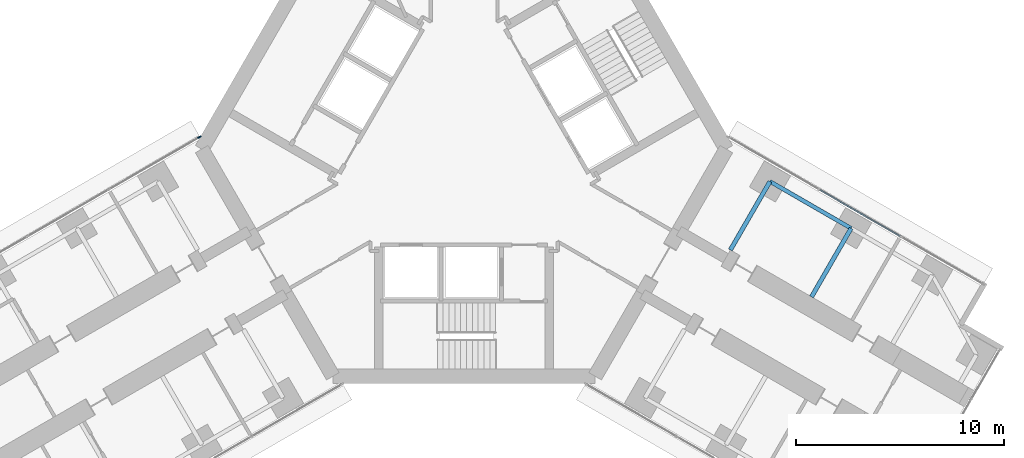
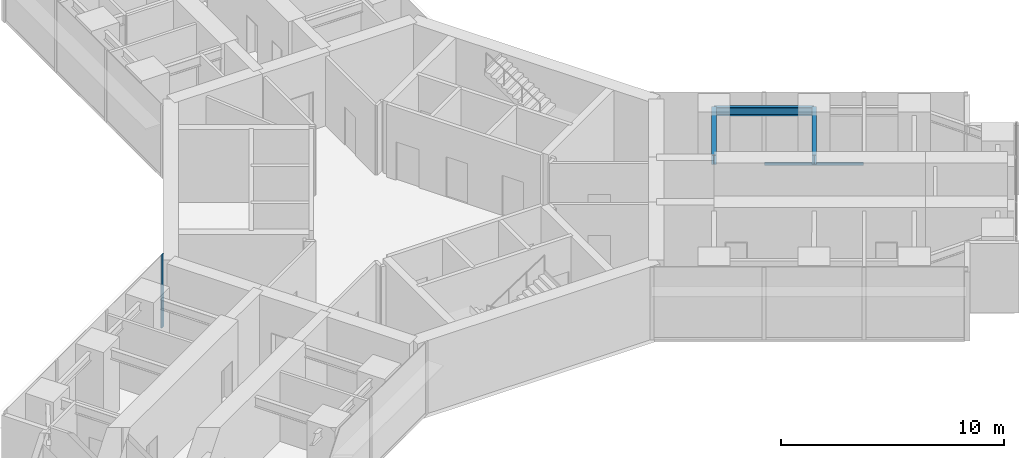
# One storey, part 10 of 24: 3 beams, 2 members, 2 elements without a shape of their own.
"""IFC4 building model written with IfcOpenShell, lengths in metres."""

import ifcopenshell
import ifcopenshell.guid

model = None  # the IFC model being written
_history = None  # IfcOwnerHistory: only IFC2X3 demands one
_inside = {}  # id of a spatial element -> (the spatial element, [elements in it])
_under = {}  # id of a project, library or spatial element -> (it, [spatial elements below it])
_declared = {}  # id of a project -> (the project, [libraries it declares])
_typed = {}  # id of a type object -> (the type object, [elements of that type])
_made_of = {}  # id of a material, layer set ... -> (it, [elements and type objects made of it])


def new_model(schema):
    """Start an empty IFC model of exactly this schema.

    Asked for "IFC4X3", IfcOpenShell would pick the latest addendum, in which some entities
    have other attributes; the version numbers below select the first issue.
    IFC2X3 requires an IfcOwnerHistory on every rooted entity: one is made here for all.
    """
    global model, _history
    if schema == "IFC4X3":
        model = ifcopenshell.file(schema_version=(4, 3, 0, 0))
    else:
        model = ifcopenshell.file(schema=schema)
    _inside.clear()
    _under.clear()
    _declared.clear()
    _typed.clear()
    _made_of.clear()
    _history = None
    if model.schema == "IFC2X3":
        org = make("IfcOrganization", Name="unknown")
        user = make(
            "IfcPersonAndOrganization",
            ThePerson=make("IfcPerson", FamilyName="unknown"),
            TheOrganization=org,
        )
        app = make(
            "IfcApplication",
            ApplicationDeveloper=org,
            Version="unknown",
            ApplicationFullName="unknown",
            ApplicationIdentifier="unknown",
        )
        _history = make(
            "IfcOwnerHistory",
            OwningUser=user,
            OwningApplication=app,
            ChangeAction="ADDED",
            CreationDate=0,
        )
    return model


def make(cls, **values):
    """One entity of the class cls with the attributes given. An attribute that is None is left unset."""
    return model.create_entity(
        cls, **{name: value for name, value in values.items() if value is not None}
    )


def rooted(cls, **values):
    """An entity with a GlobalId (a new one), such as an element, a storey or a relation."""
    return make(cls, GlobalId=ifcopenshell.guid.new(), OwnerHistory=_history, **values)


def si_unit(unit_type, name, prefix=None):
    """IfcSIUnit, for example si_unit("LENGTHUNIT", "METRE", prefix="MILLI")."""
    return make("IfcSIUnit", UnitType=unit_type, Prefix=prefix, Name=name)


def assignment(units):
    """IfcUnitAssignment: the units of a project."""
    return None if units is None else make("IfcUnitAssignment", Units=units)


def point(xyz):
    """IfcCartesianPoint."""
    return None if xyz is None else make("IfcCartesianPoint", Coordinates=xyz)


def direction(xyz):
    """IfcDirection."""
    return None if xyz is None else make("IfcDirection", DirectionRatios=xyz)


def frame(location, z_axis=None, x_axis=None):
    """IfcAxis2Placement3D, a coordinate frame: its origin and axes. An axis left out is left unset."""
    return make(
        "IfcAxis2Placement3D",
        Location=point(location),
        Axis=direction(z_axis),
        RefDirection=direction(x_axis),
    )


def frame_2d(location, x_axis=None):
    """IfcAxis2Placement2D, a coordinate frame in the plane: its origin and x axis."""
    return make(
        "IfcAxis2Placement2D", Location=point(location), RefDirection=direction(x_axis)
    )


def origin():
    """The frame at (0, 0, 0) with its axes left unset."""
    return frame((0.0, 0.0, 0.0))


def origin_2d():
    """The frame at (0, 0) in the plane with its x axis left unset."""
    return frame_2d((0.0, 0.0))


def place(relative_to, where):
    """IfcLocalPlacement: puts the frame where relative to a parent placement (None: the world)."""
    return make(
        "IfcLocalPlacement", PlacementRelTo=relative_to, RelativePlacement=where
    )


def context(
    kind, dimensions, precision=None, world=None, true_north=None, identifier=None
):
    """IfcGeometricRepresentationContext, for example the 3D "Model" context."""
    return make(
        "IfcGeometricRepresentationContext",
        ContextIdentifier=identifier,
        ContextType=kind,
        CoordinateSpaceDimension=dimensions,
        Precision=precision,
        WorldCoordinateSystem=world,
        TrueNorth=true_north,
    )


def subcontext(parent, identifier, kind, view, scale=None):
    """IfcGeometricRepresentationSubContext, for example "Body" below "Model"."""
    return make(
        "IfcGeometricRepresentationSubContext",
        ContextIdentifier=identifier,
        ContextType=kind,
        ParentContext=parent,
        TargetScale=scale,
        TargetView=view,
    )


def project(units=None, contexts=None):
    """IfcProject with its units and contexts."""
    return rooted(
        "IfcProject",
        Name="project",
        RepresentationContexts=contexts,
        UnitsInContext=assignment(units),
    )


def spatial(cls, under=None, at=None, **own):
    """A site, building, storey or space (cls), placed at a placement, below another one or the project."""
    s = rooted(cls, ObjectPlacement=at, **own)
    if under is not None:
        _under.setdefault(under.id(), (under, []))[1].append(s)
    return s


def profile(cls, at=None, kind="AREA", **sizes):
    """A parametric profile (cls). Its sizes go by their IFC names, for example OverallWidth=200.0."""
    return make(cls, ProfileType=kind, Position=at, **sizes)


def rectangle(**sizes):
    """IfcRectangleProfileDef."""
    return profile("IfcRectangleProfileDef", **sizes)


def i_section(**sizes):
    """IfcIShapeProfileDef."""
    return profile("IfcIShapeProfileDef", **sizes)


def extrude(swept, where, along, depth):
    """IfcExtrudedAreaSolid: the profile swept, set in the frame where, extruded along a direction by depth."""
    return make(
        "IfcExtrudedAreaSolid",
        SweptArea=swept,
        Position=where,
        ExtrudedDirection=direction(along),
        Depth=depth,
    )


def shape(context_of_items, identifier, shape_type, items):
    """IfcShapeRepresentation: the items that make up one representation, for example the "Body"."""
    return make(
        "IfcShapeRepresentation",
        ContextOfItems=context_of_items,
        RepresentationIdentifier=identifier,
        RepresentationType=shape_type,
        Items=items,
    )


def material(Name=None, Category=None):
    """IfcMaterial."""
    return make("IfcMaterial", Name=Name, Category=Category)


def material_profile(
    of_material, cross_section, Name=None, Category=None, Priority=None
):
    """IfcMaterialProfile: a cross section and its material."""
    return make(
        "IfcMaterialProfile",
        Name=Name,
        Material=of_material,
        Profile=cross_section,
        Priority=Priority,
        Category=Category,
    )


def profile_set(profiles, Name=None, composite=None):
    """IfcMaterialProfileSet."""
    return make(
        "IfcMaterialProfileSet",
        Name=Name,
        MaterialProfiles=profiles,
        CompositeProfile=composite,
    )


def made_of(thing, what):
    """Note that an element or type object is made of a material, layer set ...; save() writes the relation."""
    if what is not None:
        _made_of.setdefault(what.id(), (what, []))[1].append(thing)
    return thing


def type_object(cls, material=None, **own):
    """A type object (cls), such as IfcWallType, which elements share."""
    return made_of(rooted(cls, **own), material)


def element(
    cls,
    number,
    at=None,
    inside=None,
    cuts=None,
    type_object=None,
    material=None,
    context=None,
    identifier="Body",
    shape_type=None,
    held_by="IfcProductDefinitionShape",
    body=None,
    shapes=None,
    **own,
):
    """One element of the class cls, such as IfcWall. Its Tag is "e" and its number.

    at: its placement. inside: the storey or other place that contains it. cuts: it is an
    opening in that element (IfcRelVoidsElement). A single representation is given by context,
    identifier, shape_type and body (its items); several are given by shapes. held_by: the class
    of the entity that holds the representations. save() writes the other relations.
    """
    e = rooted(cls, Tag="e%d" % number, ObjectPlacement=at, **own)
    if body is not None:
        shapes = [shape(context, identifier, shape_type, body)]
    if shapes is not None:
        e.Representation = make(held_by, Representations=shapes)
    if inside is not None:
        _inside.setdefault(inside.id(), (inside, []))[1].append(e)
    if cuts is not None:
        rooted(
            "IfcRelVoidsElement", RelatingBuildingElement=cuts, RelatedOpeningElement=e
        )
    if type_object is not None:
        _typed.setdefault(type_object.id(), (type_object, []))[1].append(e)
    return made_of(e, material)


def aggregate(whole, parts):
    """IfcRelAggregates: a whole, such as a stair, and the parts it consists of."""
    return rooted("IfcRelAggregates", RelatingObject=whole, RelatedObjects=parts)


def save(model, path):
    """Write the relations noted so far, then the file.

    IfcRelAggregates (storeys below a building ...), IfcRelContainedInSpatialStructure (elements
    in a storey), IfcRelDefinesByType, IfcRelAssociatesMaterial and IfcRelDeclares: one each for
    every whole, place, type object, material and project.
    """
    for whole, parts in _under.values():
        aggregate(whole, parts)
    for where, things in _inside.values():
        rooted(
            "IfcRelContainedInSpatialStructure",
            RelatedElements=things,
            RelatingStructure=where,
        )
    for kind, things in _typed.values():
        rooted("IfcRelDefinesByType", RelatedObjects=things, RelatingType=kind)
    for what, things in _made_of.values():
        rooted("IfcRelAssociatesMaterial", RelatedObjects=things, RelatingMaterial=what)
    for by, libraries in _declared.values():
        rooted("IfcRelDeclares", RelatingContext=by, RelatedDefinitions=libraries)
    model.write(path)


model = new_model("IFC4")

# Units and contexts
model_context = context("Model", 3, precision=1e-05, world=origin(), true_north=direction((0.0, 1.0)))
body_context = subcontext(model_context, "Body", "Model", "MODEL_VIEW")
ifc_project = project(units=[si_unit("LENGTHUNIT", "METRE"), si_unit("AREAUNIT", "SQUARE_METRE"), si_unit("VOLUMEUNIT", "CUBIC_METRE"), si_unit("PLANEANGLEUNIT", "RADIAN"), si_unit("MASSUNIT", "GRAM", prefix="KILO")], contexts=[model_context])

# Site, building, storey
site_placement = place(None, origin())
site = spatial("IfcSite", under=ifc_project, at=site_placement, CompositionType="ELEMENT")
building_placement = place(site_placement, origin())
building = spatial("IfcBuilding", under=site, at=building_placement, Name="Upepo Twin Towers", CompositionType="ELEMENT")
storey_placement = place(building_placement, frame((0.0, 0.0, 56.5)))
storey = spatial("IfcBuildingStorey", under=building, at=storey_placement, Name="L13", CompositionType="ELEMENT", Elevation=56.5)

# Beams
ifc_material_1 = material(Name="Steel S355", Category="steel")
ifc_material_profile_1 = material_profile(ifc_material_1, i_section(OverallWidth=0.1904296875, OverallDepth=0.45703125, WebThickness=0.009033203125, FlangeThickness=0.014404296875, FilletRadius=0.01025390625, at=origin_2d()), Name="UB 457x191x74")
ifc_profile_set_1 = profile_set([ifc_material_profile_1], Name="Steel S355")
beam_type_1 = type_object("IfcBeamType", Name="Beam UB 457x191x74", PredefinedType="BEAM", material=ifc_profile_set_1)
beam_1_placement = place(storey_placement, frame((73.19140625, -19.553955078125, 3.571533203125), z_axis=(0.866017533419, -0.500013631625, 0.0), x_axis=(0.500013631625, 0.866017533419, 0.0)))
element("IfcBeam", 1, at=beam_1_placement, inside=storey, type_object=beam_type_1, Name="T2 edge beam CL 13.5-18.0", PredefinedType="BEAM", context=body_context, shape_type="SweptSolid", body=[
    extrude(i_section(OverallWidth=0.1904296875, OverallDepth=0.45703125, WebThickness=0.009033203125, FlangeThickness=0.014404296875, FilletRadius=0.01025390625, at=origin_2d()), origin(), (0.0, 0.0, 1.0), 4.499755859375),
])
ifc_material_2 = material(Name="Steel S355", Category="steel")
ifc_material_profile_2 = material_profile(ifc_material_2, i_section(OverallWidth=0.209228515625, OverallDepth=0.533203125, WebThickness=0.010009765625, FlangeThickness=0.015625, FilletRadius=0.0126953125, at=origin_2d()), Name="UB 533x210x92")
ifc_profile_set_2 = profile_set([ifc_material_profile_2], Name="Steel S355")
beam_type_2 = type_object("IfcBeamType", Name="Beam UB 533x210x92", PredefinedType="BEAM", material=ifc_profile_set_2)
beam_2_placement = place(storey_placement, frame((73.19140625, -19.553955078125, 3.533447265625), z_axis=(-0.500043160704, -0.866000483506, 0.0), x_axis=(0.866000483506, -0.500043160704, 0.0)))
element("IfcBeam", 2, at=beam_2_placement, inside=storey, type_object=beam_type_2, Name="T2 girder CL at 13.5", PredefinedType="BEAM", context=body_context, shape_type="SweptSolid", body=[
    extrude(i_section(OverallWidth=0.209228515625, OverallDepth=0.533203125, WebThickness=0.010009765625, FlangeThickness=0.015625, FilletRadius=0.0126953125, at=origin_2d()), origin(), (0.0, 0.0, 1.0), 3.800048828125),
])
beam_3_placement = place(storey_placement, frame((77.08837890625, -21.803955078125, 3.533447265625), z_axis=(-0.499994975061, -0.866028304915, 0.0), x_axis=(0.866028304915, -0.499994975061, 0.0)))
element("IfcBeam", 3, at=beam_3_placement, inside=storey, type_object=beam_type_2, Name="T2 girder CL at 18.0", PredefinedType="BEAM", context=body_context, shape_type="SweptSolid", body=[
    extrude(i_section(OverallWidth=0.209228515625, OverallDepth=0.533203125, WebThickness=0.010009765625, FlangeThickness=0.015625, FilletRadius=0.0126953125, at=origin_2d()), origin(), (0.0, 0.0, 1.0), 3.7998046875),
])

# Curtain wall, member
ifc_material_3 = material(Name="Aluminium and fritted glass", Category="aluminium")
curtain_wall_type = type_object("IfcCurtainWallType", Name="Tower curtain wall TW1, fritted glass", PredefinedType="NOTDEFINED", material=ifc_material_3)
curtain_wall_1_placement = place(storey_placement, origin())
curtain_wall_1 = element("IfcCurtainWall", 4, at=curtain_wall_1_placement, inside=storey, type_object=curtain_wall_type, Name="T2 L13 wing B flank R curtain wall", PredefinedType="NOTDEFINED")
ifc_material_4 = material(Name="Aluminium mullion", Category="aluminium")
ifc_material_profile_3 = material_profile(ifc_material_4, rectangle(XDim=0.06494140625, YDim=0.179931640625, at=origin_2d()), Name="MULLION 65x180")
ifc_profile_set_3 = profile_set([ifc_material_profile_3], Name="Aluminium mullion")
member_type_1 = type_object("IfcMemberType", Name="Mullion 65x180 TW1", PredefinedType="MULLION", material=ifc_profile_set_3)
member_1_placement = place(storey_placement, frame((45.79150390625, -17.427490234375, 0.0), z_axis=(0.0, 0.0, 1.0), x_axis=(-0.500000024426, 0.866025389682, 0.0)))
member_1 = element("IfcMember", 5, at=member_1_placement, type_object=member_type_1, Name="T2 L13 wing B flank R curtain wall mullion 4", PredefinedType="MULLION", context=body_context, shape_type="SweptSolid", body=[
    extrude(rectangle(XDim=0.06494140625, YDim=0.179931640625, at=origin_2d()), origin(), (0.0, 0.0, 1.0), 4.0),
])
aggregate(curtain_wall_1, [member_1])

curtain_wall_2_placement = place(storey_placement, origin())
curtain_wall_2 = element("IfcCurtainWall", 6, at=curtain_wall_2_placement, inside=storey, type_object=curtain_wall_type, Name="T2 L13 wing C flank L curtain wall", PredefinedType="NOTDEFINED")
ifc_material_5 = material(Name="Aluminium transom", Category="aluminium")
ifc_material_profile_4 = material_profile(ifc_material_5, rectangle(XDim=0.06494140625, YDim=0.14990234375, at=origin_2d()), Name="TRANSOM 65x150")
ifc_profile_set_4 = profile_set([ifc_material_profile_4], Name="Aluminium transom")
member_type_2 = type_object("IfcMemberType", Name="Transom 65x150 TW1", PredefinedType="USERDEFINED", material=ifc_profile_set_4)
member_2_placement = place(storey_placement, frame((75.593017578125, -19.958984375, 0.074951171875), z_axis=(0.866022410713, -0.500005184116, 0.0), x_axis=(0.500005184116, 0.866022410713, 0.0)))
member_2 = element("IfcMember", 7, at=member_2_placement, type_object=member_type_2, Name="T2 L13 wing C flank L curtain wall transom 2", ObjectType="TRANSOM", PredefinedType="USERDEFINED", context=body_context, shape_type="SweptSolid", body=[
    extrude(rectangle(XDim=0.06494140625, YDim=0.14990234375, at=origin_2d()), origin(), (0.0, 0.0, 1.0), 4.43505859375),
])
aggregate(curtain_wall_2, [member_2])

save(model, "model.ifc")
